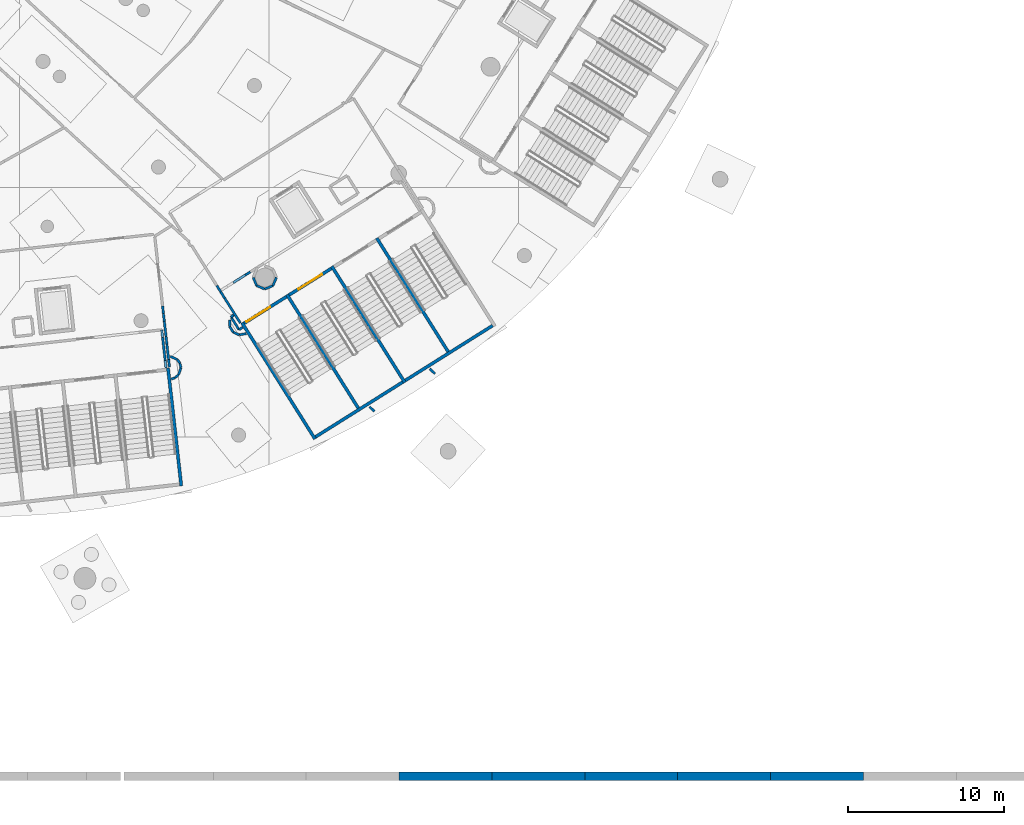
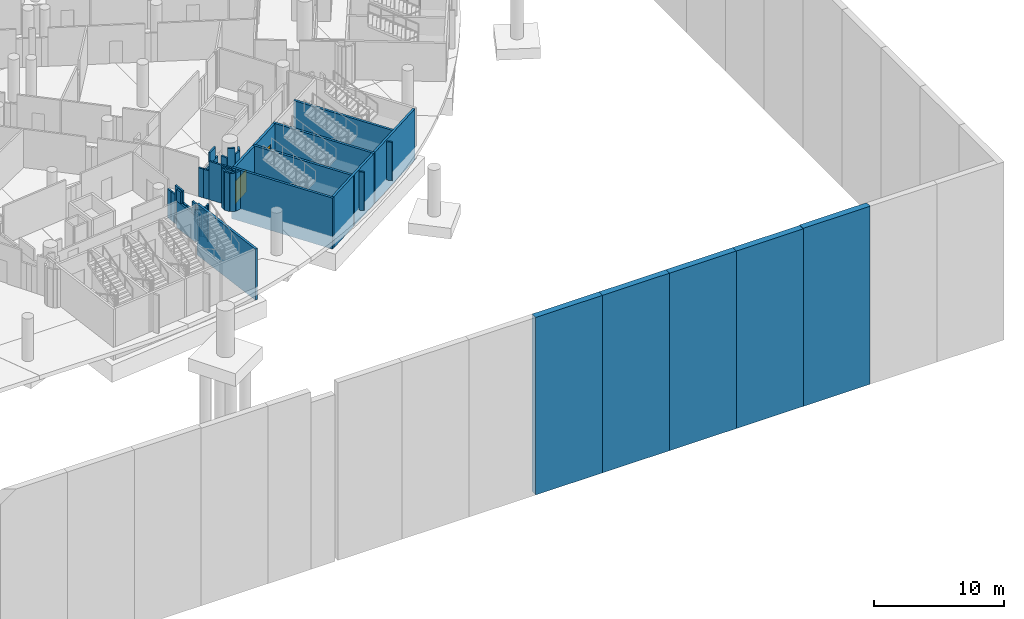
# One storey, part 55 of 142: 47 walls, 2 doors, 2 openings.
"""IFC4 building model written with IfcOpenShell, lengths in metres."""

from ifc_helpers import new_model, si_unit, direction, frame, frame_2d, origin, place, context, subcontext, project, spatial, rectangle, extrude, material, layer, layer_set, type_object, element, fill, save


model = new_model("IFC4")

# Units and contexts
model_context = context("Model", 3, precision=1e-05, world=origin(), true_north=direction((0.0, 1.0)))
body_context = subcontext(model_context, "Body", "Model", "MODEL_VIEW")
ifc_project = project(units=[si_unit("LENGTHUNIT", "METRE"), si_unit("AREAUNIT", "SQUARE_METRE"), si_unit("VOLUMEUNIT", "CUBIC_METRE"), si_unit("PLANEANGLEUNIT", "RADIAN"), si_unit("MASSUNIT", "GRAM", prefix="KILO")], contexts=[model_context])

# Site, building, storey
site_placement = place(None, origin())
site = spatial("IfcSite", under=ifc_project, at=site_placement, CompositionType="ELEMENT")
building_placement = place(site_placement, origin())
building = spatial("IfcBuilding", under=site, at=building_placement, Name="Meseta Stadium", CompositionType="ELEMENT")
storey_placement = place(building_placement, frame((0.0, 0.0, -4.0)))
storey = spatial("IfcBuildingStorey", under=building, at=storey_placement, Name="B1", CompositionType="ELEMENT", Elevation=-4.0)

# Walls
ifc_material_1 = material(Name="Concrete C40/50", Category="concrete")
ifc_layer_1 = layer(ifc_material_1, 0.199951171875)
ifc_layer_set_1 = layer_set([ifc_layer_1], Name="Core divider wall 200")
wall_type_1 = type_object("IfcWallType", Name="Core divider wall 200", PredefinedType="SHEAR", material=ifc_layer_set_1)
wall_1_placement = place(storey_placement, frame((69.8291015625, -94.314453125, -1.199951171875), z_axis=(0.0, 0.0, 1.0), x_axis=(-0.532032334759, 0.846724036963, 0.0)))
element("IfcWall", 1, at=wall_1_placement, inside=storey, type_object=wall_type_1, Name="Core 27 B1 stair A divider wall", PredefinedType="SHEAR", context=body_context, shape_type="SweptSolid", body=[
    extrude(rectangle(XDim=8.800048828125, YDim=0.199951171875, at=frame_2d((4.39990234375, 0.0))), origin(), (0.0, 0.0, 1.0), 4.800048828125),
])
wall_2_placement = place(storey_placement, frame((75.5869140625, -90.696533203125, -1.199951171875), z_axis=(0.0, 0.0, 1.0), x_axis=(-0.532044832901, 0.846716183726, 0.0)))
element("IfcWall", 2, at=wall_2_placement, inside=storey, type_object=wall_type_1, Name="Core 27 B1 stair B divider wall", PredefinedType="SHEAR", context=body_context, shape_type="SweptSolid", body=[
    extrude(rectangle(XDim=8.7998046875, YDim=0.199951171875, at=frame_2d((4.39990234375, 0.0))), origin(), (0.0, 0.0, 1.0), 4.800048828125),
])
ifc_material_2 = material(Name="Concrete C40/50", Category="concrete")
ifc_layer_2 = layer(ifc_material_2, 0.199951171875)
ifc_layer_set_2 = layer_set([ifc_layer_2], Name="Core shaft wall 200")
wall_type_2 = type_object("IfcWallType", Name="Core shaft wall 200", PredefinedType="SHEAR", material=ifc_layer_set_2)
wall_3_placement = place(storey_placement, frame((58.3779296875, -99.123046875, -1.199951171875), z_axis=(0.0, 0.0, 1.0), x_axis=(-0.111982724367, 0.993710153638, 0.0)))
element("IfcWall", 3, at=wall_3_placement, inside=storey, type_object=wall_type_2, Name="Core 26 B1 stair wall B-side", PredefinedType="SHEAR", context=body_context, shape_type="SweptSolid", body=[
    extrude(rectangle(XDim=7.60009765625, YDim=0.199951171875, at=frame_2d((3.800048828125, 0.0))), origin(), (0.0, 0.0, 1.0), 4.800048828125),
])
for number, where, z_axis, x_axis, name in (
    (4, (66.9501953125, -96.123291015625, -1.199951171875), (0.0, 0.0, 1.0), (-0.532032334759, 0.846724036963, 0.0), "Core 27 B1 stair wall A-side"),
    (5, (72.7080078125, -92.505615234375, -1.199951171875), (0.0, 0.0, 1.0), (-0.532032334759, 0.846724036963, 0.0), "Core 27 B1 stair wall shared"),
):
    element("IfcWall", number, at=place(storey_placement, frame(where, z_axis=z_axis, x_axis=x_axis)), inside=storey, type_object=wall_type_2, Name=name, PredefinedType="SHEAR", context=body_context, shape_type="SweptSolid", body=[
        extrude(rectangle(XDim=8.800048828125, YDim=0.199951171875, at=frame_2d((4.39990234375, 0.0))), origin(), (0.0, 0.0, 1.0), 4.800048828125),
    ])
for number, where, z_axis, x_axis, name in (
    (6, (66.981689453125, -95.985595703125, -1.199951171875), (0.0, 0.0, 1.0), (0.846719870989, 0.532038964807, 0.0), "Core 27 B1 stair A outer end wall"),
    (7, (72.739501953125, -92.36767578125, -1.199951171875), (0.0, 0.0, 1.0), (0.846719870989, 0.532038964807, 0.0), "Core 27 B1 stair B outer end wall"),
):
    element("IfcWall", number, at=place(storey_placement, frame(where, z_axis=z_axis, x_axis=x_axis)), inside=storey, type_object=wall_type_2, Name=name, PredefinedType="SHEAR", context=body_context, shape_type="SweptSolid", body=[
        extrude(rectangle(XDim=6.60009765625, YDim=0.199951171875, at=frame_2d((3.300048828125, 0.0))), origin(), (0.0, 0.0, 1.0), 4.800048828125),
    ])

# Wall, opening, door
wall_4_placement = place(storey_placement, frame((62.40625, -88.70361328125, -1.199951171875), z_axis=(0.0, 0.0, 1.0), x_axis=(0.846735733015, 0.532013720158, 0.0)))
wall_4 = element("IfcWall", 8, at=wall_4_placement, inside=storey, type_object=wall_type_2, Name="Core 27 B1 stair A1 inner end wall", PredefinedType="SHEAR", context=body_context, shape_type="SweptSolid", body=[
    extrude(rectangle(XDim=3.199951171875, YDim=0.199951171875, at=frame_2d((1.60009765625, 0.0))), origin(), (0.0, 0.0, 1.0), 4.800048828125),
])
opening_1_placement = place(wall_4_placement, frame((0.177978515625, 0.0, 1.199951171875)))
opening_1 = element("IfcOpeningElement", 9, at=opening_1_placement, cuts=wall_4, Name="Opening D353", PredefinedType="OPENING", context=body_context, shape_type="SweptSolid", body=[
    extrude(rectangle(XDim=1.800048828125, YDim=2.10009765625, at=frame_2d((0.89990234375, 1.050048828125))), frame((0.0, 0.10986328125, 0.0), z_axis=(0.0, -1.0, 0.0), x_axis=(1.0, 0.0, 0.0)), (0.0, 0.0, 1.0), 0.219970703125),
])
ifc_material_3 = material(Name="Steel", Category="steel")
door_type = type_object("IfcDoorType", Name="Stair door 1800x2100", OperationType="DOUBLE_DOOR_SINGLE_SWING", PredefinedType="DOOR", material=ifc_material_3)
door_1_placement = place(opening_1_placement, origin())
door_1 = element("IfcDoor", 10, at=door_1_placement, inside=storey, type_object=door_type, Name="Stair A1 door 27 B1", OperationType="DOUBLE_DOOR_SINGLE_SWING", OverallHeight=2.10009765625, OverallWidth=1.800048828125, PredefinedType="DOOR", context=body_context, shape_type="SweptSolid", body=[
    extrude(rectangle(XDim=1.800048828125, YDim=2.10009765625, at=frame_2d((0.89990234375, 1.050048828125))), frame((0.0, 0.02490234375, 0.0), z_axis=(0.0, -1.0, 0.0), x_axis=(1.0, 0.0, 0.0)), (0.0, 0.0, 1.0), 0.050048828125),
])
fill(opening_1, door_1)

wall_5_placement = place(storey_placement, frame((65.28515625, -86.894775390625, -1.199951171875), z_axis=(0.0, 0.0, 1.0), x_axis=(0.846735733015, 0.532013720158, 0.0)))
wall_5 = element("IfcWall", 11, at=wall_5_placement, inside=storey, type_object=wall_type_2, Name="Core 27 B1 stair A2 inner end wall", PredefinedType="SHEAR", context=body_context, shape_type="SweptSolid", body=[
    extrude(rectangle(XDim=3.199951171875, YDim=0.199951171875, at=frame_2d((1.60009765625, 0.0))), origin(), (0.0, 0.0, 1.0), 4.800048828125),
])
opening_2_placement = place(wall_5_placement, frame((0.699951171875, 0.0, 1.199951171875)))
opening_2 = element("IfcOpeningElement", 12, at=opening_2_placement, cuts=wall_5, Name="Opening D354", PredefinedType="OPENING", context=body_context, shape_type="SweptSolid", body=[
    extrude(rectangle(XDim=1.800048828125, YDim=2.10009765625, at=frame_2d((0.89990234375, 1.050048828125))), frame((0.0, 0.10986328125, 0.0), z_axis=(0.0, -1.0, 0.0), x_axis=(1.0, 0.0, 0.0)), (0.0, 0.0, 1.0), 0.219970703125),
])
door_2_placement = place(opening_2_placement, origin())
door_2 = element("IfcDoor", 13, at=door_2_placement, inside=storey, type_object=door_type, Name="Stair A2 door 27 B1", OperationType="DOUBLE_DOOR_SINGLE_SWING", OverallHeight=2.10009765625, OverallWidth=1.800048828125, PredefinedType="DOOR", context=body_context, shape_type="SweptSolid", body=[
    extrude(rectangle(XDim=1.800048828125, YDim=2.10009765625, at=frame_2d((0.89990234375, 1.050048828125))), frame((0.0, 0.02490234375, 0.0), z_axis=(0.0, -1.0, 0.0), x_axis=(1.0, 0.0, 0.0)), (0.0, 0.0, 1.0), 0.050048828125),
])
fill(opening_2, door_2)

# Walls
ifc_material_4 = material(Name="Masonry blockwork", Category="masonry")
ifc_layer_3 = layer(ifc_material_4, 0.14990234375)
ifc_layer_set_3 = layer_set([ifc_layer_3], Name="Partition 150")
wall_type_3 = type_object("IfcWallType", Name="Partition 150", PredefinedType="PARTITIONING", material=ifc_layer_set_3)
wall_6_placement = place(storey_placement, frame((57.621826171875, -91.52001953125, 0.0), z_axis=(0.0, 0.0, 1.0), x_axis=(-0.112221929923, 0.993683168039, 0.0)))
element("IfcWall", 14, at=wall_6_placement, inside=storey, type_object=wall_type_3, Name="Partition B1 B1-cell25-3-0", PredefinedType="PARTITIONING", context=body_context, shape_type="SweptSolid", body=[
    extrude(rectangle(XDim=0.493896484375, YDim=0.14990234375, at=frame_2d((0.2470703125, 0.0))), origin(), (0.0, 0.0, 1.0), 2.5),
])
wall_7_placement = place(storey_placement, frame((57.56640625, -91.029296875, 0.0), z_axis=(0.0, 0.0, 1.0), x_axis=(-0.111733745595, 0.993738179852, 0.0)))
element("IfcWall", 15, at=wall_7_placement, inside=storey, type_object=wall_type_3, Name="Partition B1 B1-cell25-3-0", PredefinedType="PARTITIONING", context=body_context, shape_type="SweptSolid", body=[
    extrude(rectangle(XDim=0.987548828125, YDim=0.14990234375, at=frame_2d((0.49365234375, 0.0))), origin(), (0.0, 0.0, 1.0), 2.5),
])
wall_8_placement = place(storey_placement, frame((57.4560546875, -90.0478515625, 0.0), z_axis=(0.0, 0.0, 1.0), x_axis=(-0.112277085518, 0.993676937474, 0.0)))
element("IfcWall", 16, at=wall_8_placement, inside=storey, type_object=wall_type_3, Name="Partition B1 B1-cell25-3-0", PredefinedType="PARTITIONING", context=body_context, shape_type="SweptSolid", body=[
    extrude(rectangle(XDim=0.49365234375, YDim=0.14990234375, at=frame_2d((0.246826171875, 0.0))), origin(), (0.0, 0.0, 1.0), 2.5),
])
wall_9_placement = place(storey_placement, frame((57.400634765625, -89.557373046875, 0.0), z_axis=(0.0, 0.0, 1.0), x_axis=(-0.111977847894, 0.993710703163, 0.0)))
element("IfcWall", 17, at=wall_9_placement, inside=storey, type_object=wall_type_3, Name="Partition B1 B1-cell25-3-0", PredefinedType="PARTITIONING", context=body_context, shape_type="SweptSolid", body=[
    extrude(rectangle(XDim=0.987548828125, YDim=0.14990234375, at=frame_2d((0.49365234375, 0.0))), origin(), (0.0, 0.0, 1.0), 3.60009765625),
])
wall_10_placement = place(storey_placement, frame((57.2900390625, -88.575927734375, 0.0), z_axis=(0.0, 0.0, 1.0), x_axis=(-0.11178866734, 0.993732003034, 0.0)))
element("IfcWall", 18, at=wall_10_placement, inside=storey, type_object=wall_type_3, Name="Partition B1 B1-cell25-3-0", PredefinedType="PARTITIONING", context=body_context, shape_type="SweptSolid", body=[
    extrude(rectangle(XDim=0.49365234375, YDim=0.14990234375, at=frame_2d((0.246826171875, 0.0))), origin(), (0.0, 0.0, 1.0), 2.699951171875),
])
wall_11_placement = place(storey_placement, frame((57.23486328125, -88.08544921875, 0.0), z_axis=(0.0, 0.0, 1.0), x_axis=(-0.111733745595, 0.993738179852, 0.0)))
element("IfcWall", 19, at=wall_11_placement, inside=storey, type_object=wall_type_3, Name="Partition B1 B1-cell25-3-0", PredefinedType="PARTITIONING", context=body_context, shape_type="SweptSolid", body=[
    extrude(rectangle(XDim=0.493896484375, YDim=0.14990234375, at=frame_2d((0.2470703125, 0.0))), origin(), (0.0, 0.0, 1.0), 2.699951171875),
])
wall_12_placement = place(storey_placement, frame((60.654052734375, -86.290771484375, 0.0), z_axis=(0.0, 0.0, 1.0), x_axis=(0.532086905354, -0.84668974551, 0.0)))
element("IfcWall", 20, at=wall_12_placement, inside=storey, type_object=wall_type_3, Name="Partition B1 B1-cell25-3-0", PredefinedType="PARTITIONING", context=body_context, shape_type="SweptSolid", body=[
    extrude(rectangle(XDim=0.47265625, YDim=0.14990234375, at=frame_2d((0.236328125, 0.0))), origin(), (0.0, 0.0, 1.0), 2.699951171875),
])
wall_13_placement = place(storey_placement, frame((60.905517578125, -86.69091796875, 0.0), z_axis=(0.0, 0.0, 1.0), x_axis=(0.531716418335, -0.846922458359, 0.0)))
element("IfcWall", 21, at=wall_13_placement, inside=storey, type_object=wall_type_3, Name="Partition B1 B1-cell25-3-0", PredefinedType="PARTITIONING", context=body_context, shape_type="SweptSolid", body=[
    extrude(rectangle(XDim=0.472412109375, YDim=0.14990234375, at=frame_2d((0.236328125, 0.0))), origin(), (0.0, 0.0, 1.0), 2.699951171875),
])
wall_14_placement = place(storey_placement, frame((61.15673828125, -87.091064453125, 0.0), z_axis=(0.0, 0.0, 1.0), x_axis=(0.532052497691, -0.84671136741, 0.0)))
element("IfcWall", 22, at=wall_14_placement, inside=storey, type_object=wall_type_3, Name="Partition B1 B1-cell25-3-0", PredefinedType="PARTITIONING", context=body_context, shape_type="SweptSolid", body=[
    extrude(rectangle(XDim=1.89013671875, YDim=0.14990234375, at=frame_2d((0.945068359375, 0.0))), origin(), (0.0, 0.0, 1.0), 3.60009765625),
])
wall_15_placement = place(storey_placement, frame((70.43310546875, -94.052978515625, 0.0), z_axis=(0.0, 0.0, 1.0), x_axis=(0.737553445213, -0.675288764496, 0.0)))
element("IfcWall", 23, at=wall_15_placement, inside=storey, type_object=wall_type_3, Name="Partition B1 B1-cell25-3-0", PredefinedType="PARTITIONING", context=body_context, shape_type="SweptSolid", body=[
    extrude(rectangle(XDim=0.431396484375, YDim=0.14990234375, at=frame_2d((0.2158203125, 0.0))), origin(), (0.0, 0.0, 1.0), 3.60009765625),
])
wall_16_placement = place(storey_placement, frame((74.634521484375, -91.93408203125, 0.0), z_axis=(0.0, 0.0, 1.0), x_axis=(-0.737375577037, 0.675482981569, 0.0)))
element("IfcWall", 24, at=wall_16_placement, inside=storey, type_object=wall_type_3, Name="Partition B1 B1-cell26-3-0", PredefinedType="PARTITIONING", context=body_context, shape_type="SweptSolid", body=[
    extrude(rectangle(XDim=0.45751953125, YDim=0.14990234375, at=frame_2d((0.228759765625, 0.0))), origin(), (0.0, 0.0, 1.0), 3.60009765625),
])
wall_17_placement = place(storey_placement, frame((57.401611328125, -91.57470703125, 0.0), z_axis=(0.0, 0.0, 1.0), x_axis=(-0.112018501257, 0.993706121233, 0.0)))
element("IfcWall", 25, at=wall_17_placement, inside=storey, type_object=wall_type_3, Name="Stair vestibule wall B1 core 26", PredefinedType="PARTITIONING", context=body_context, shape_type="SweptSolid", body=[
    extrude(rectangle(XDim=2.465087890625, YDim=0.14990234375, at=frame_2d((1.232421875, 0.0))), origin(), (0.0, 0.0, 1.0), 2.5),
])
wall_18_placement = place(storey_placement, frame((57.401611328125, -91.57470703125, 2.5), z_axis=(0.0, 0.0, 1.0), x_axis=(-0.111953754949, 0.993713417819, 0.0)))
element("IfcWall", 26, at=wall_18_placement, inside=storey, type_object=wall_type_3, Name="Stair vestibule wall B1 core 26", PredefinedType="PARTITIONING", context=body_context, shape_type="SweptSolid", body=[
    extrude(rectangle(XDim=0.492919921875, YDim=0.14990234375, at=frame_2d((0.24658203125, 0.0))), origin(), (0.0, 0.0, 1.0), 1.10009765625),
])
wall_19_placement = place(storey_placement, frame((57.180908203125, -89.615234375, 2.5), z_axis=(0.0, 0.0, 1.0), x_axis=(-0.112387558478, 0.993664448745, 0.0)))
element("IfcWall", 27, at=wall_19_placement, inside=storey, type_object=wall_type_3, Name="Stair vestibule wall B1 core 26", PredefinedType="PARTITIONING", context=body_context, shape_type="SweptSolid", body=[
    extrude(rectangle(XDim=0.4931640625, YDim=0.14990234375, at=frame_2d((0.24658203125, 0.0))), origin(), (0.0, 0.0, 1.0), 1.10009765625),
])
wall_20_placement = place(storey_placement, frame((57.736083984375, -92.281494140625, 0.0), z_axis=(0.0, 0.0, 1.0), x_axis=(0.941549075512, 0.336875850133, 0.0)))
element("IfcWall", 28, at=wall_20_placement, inside=storey, type_object=wall_type_3, Name="Stair vestibule wall B1 core 26", PredefinedType="PARTITIONING", context=body_context, shape_type="SweptSolid", body=[
    extrude(rectangle(XDim=0.258056640625, YDim=0.14990234375, at=frame_2d((0.12890625, 0.0))), origin(), (0.0, 0.0, 1.0), 3.60009765625),
])
wall_21_placement = place(storey_placement, frame((57.97900390625, -92.194580078125, 0.0), z_axis=(0.0, 0.0, 1.0), x_axis=(0.763611518969, 0.64567596215, 0.0)))
element("IfcWall", 29, at=wall_21_placement, inside=storey, type_object=wall_type_3, Name="Stair vestibule wall B1 core 26", PredefinedType="PARTITIONING", context=body_context, shape_type="SweptSolid", body=[
    extrude(rectangle(XDim=0.287841796875, YDim=0.14990234375, at=frame_2d((0.14404296875, 0.0))), origin(), (0.0, 0.0, 1.0), 3.60009765625),
])
wall_22_placement = place(storey_placement, frame((58.19873046875, -92.0087890625, 0.0), z_axis=(0.0, 0.0, 1.0), x_axis=(0.323699669456, 0.946159882892, 0.0)))
element("IfcWall", 30, at=wall_22_placement, inside=storey, type_object=wall_type_3, Name="Stair vestibule wall B1 core 26", PredefinedType="PARTITIONING", context=body_context, shape_type="SweptSolid", body=[
    extrude(rectangle(XDim=0.479736328125, YDim=0.14990234375, at=frame_2d((0.23974609375, 0.0))), origin(), (0.0, 0.0, 1.0), 2.5),
])
wall_23_placement = place(storey_placement, frame((58.35400390625, -91.554931640625, 0.0), z_axis=(0.0, 0.0, 1.0), x_axis=(-0.209413753184, 0.977827121723, 0.0)))
element("IfcWall", 31, at=wall_23_placement, inside=storey, type_object=wall_type_3, Name="Stair vestibule wall B1 core 26", PredefinedType="PARTITIONING", context=body_context, shape_type="SweptSolid", body=[
    extrude(rectangle(XDim=0.2890625, YDim=0.14990234375, at=frame_2d((0.14453125, 0.0))), origin(), (0.0, 0.0, 1.0), 2.5),
])
wall_24_placement = place(storey_placement, frame((58.29345703125, -91.272216796875, 0.0), z_axis=(0.0, 0.0, 1.0), x_axis=(-0.567101732998, 0.823647755069, 0.0)))
element("IfcWall", 32, at=wall_24_placement, inside=storey, type_object=wall_type_3, Name="Stair vestibule wall B1 core 26", PredefinedType="PARTITIONING", context=body_context, shape_type="SweptSolid", body=[
    extrude(rectangle(XDim=0.289306640625, YDim=0.14990234375, at=frame_2d((0.14453125, 0.0))), origin(), (0.0, 0.0, 1.0), 2.5),
])
wall_25_placement = place(storey_placement, frame((58.12939453125, -91.033935546875, 0.0), z_axis=(0.0, 0.0, 1.0), x_axis=(-0.910483348767, 0.413545730988, 0.0)))
element("IfcWall", 33, at=wall_25_placement, inside=storey, type_object=wall_type_3, Name="Stair vestibule wall B1 core 26", PredefinedType="PARTITIONING", context=body_context, shape_type="SweptSolid", body=[
    extrude(rectangle(XDim=0.500732421875, YDim=0.14990234375, at=frame_2d((0.25048828125, 0.0))), origin(), (0.0, 0.0, 1.0), 2.5),
])
wall_26_placement = place(storey_placement, frame((61.70947265625, -88.172119140625, 0.0), z_axis=(0.0, 0.0, 1.0), x_axis=(-0.6683490796, -0.743847771925, 0.0)))
element("IfcWall", 34, at=wall_26_placement, inside=storey, type_object=wall_type_3, Name="Stair vestibule wall B1 core 27", PredefinedType="PARTITIONING", context=body_context, shape_type="SweptSolid", body=[
    extrude(rectangle(XDim=0.197265625, YDim=0.14990234375, at=frame_2d((0.0986328125, 0.0))), origin(), (0.0, 0.0, 1.0), 3.60009765625),
])
wall_27_placement = place(storey_placement, frame((61.57763671875, -88.31884765625, 0.0), z_axis=(0.0, 0.0, 1.0), x_axis=(0.532001627387, -0.84674333092, 0.0)))
element("IfcWall", 35, at=wall_27_placement, inside=storey, type_object=wall_type_3, Name="Stair vestibule wall B1 core 27", PredefinedType="PARTITIONING", context=body_context, shape_type="SweptSolid", body=[
    extrude(rectangle(XDim=0.941650390625, YDim=0.14990234375, at=frame_2d((0.470703125, 0.0))), origin(), (0.0, 0.0, 1.0), 3.60009765625),
])
wall_28_placement = place(storey_placement, frame((62.07861328125, -89.1162109375, 0.0), z_axis=(0.0, 0.0, 1.0), x_axis=(0.846800843848, 0.531910077794, 0.0)))
element("IfcWall", 36, at=wall_28_placement, inside=storey, type_object=wall_type_3, Name="Stair vestibule wall B1 core 27", PredefinedType="PARTITIONING", context=body_context, shape_type="SweptSolid", body=[
    extrude(rectangle(XDim=0.286865234375, YDim=0.14990234375, at=frame_2d((0.1435546875, 0.0))), origin(), (0.0, 0.0, 1.0), 3.60009765625),
])
wall_29_placement = place(storey_placement, frame((64.4716796875, -85.77099609375, 0.0), z_axis=(0.0, 0.0, 1.0), x_axis=(-0.382871604923, -0.923801566433, 0.0)))
element("IfcWall", 37, at=wall_29_placement, inside=storey, type_object=wall_type_3, Name="Stair vestibule wall B1 core 27", PredefinedType="PARTITIONING", context=body_context, shape_type="SweptSolid", body=[
    extrude(rectangle(XDim=0.56689453125, YDim=0.14990234375, at=frame_2d((0.283447265625, 0.0))), origin(), (0.0, 0.0, 1.0), 3.0),
])
wall_30_placement = place(storey_placement, frame((64.254638671875, -86.294677734375, 0.0), z_axis=(0.0, 0.0, 1.0), x_axis=(-0.923890787601, -0.382656259044, 0.0)))
element("IfcWall", 38, at=wall_30_placement, inside=storey, type_object=wall_type_3, Name="Stair vestibule wall B1 core 27", PredefinedType="PARTITIONING", context=body_context, shape_type="SweptSolid", body=[
    extrude(rectangle(XDim=0.566650390625, YDim=0.14990234375, at=frame_2d((0.283203125, 0.0))), origin(), (0.0, 0.0, 1.0), 3.0),
])
wall_31_placement = place(storey_placement, frame((63.731201171875, -86.511474609375, 0.0), z_axis=(0.0, 0.0, 1.0), x_axis=(-0.923953847635, 0.38250397049, 0.0)))
element("IfcWall", 39, at=wall_31_placement, inside=storey, type_object=wall_type_3, Name="Stair vestibule wall B1 core 27", PredefinedType="PARTITIONING", context=body_context, shape_type="SweptSolid", body=[
    extrude(rectangle(XDim=0.56689453125, YDim=0.14990234375, at=frame_2d((0.283447265625, 0.0))), origin(), (0.0, 0.0, 1.0), 3.60009765625),
])
wall_32_placement = place(storey_placement, frame((63.20751953125, -86.294677734375, 0.0), z_axis=(0.0, 0.0, 1.0), x_axis=(-0.38250397049, 0.923953847635, 0.0)))
element("IfcWall", 40, at=wall_32_placement, inside=storey, type_object=wall_type_3, Name="Stair vestibule wall B1 core 27", PredefinedType="PARTITIONING", context=body_context, shape_type="SweptSolid", body=[
    extrude(rectangle(XDim=0.56689453125, YDim=0.14990234375, at=frame_2d((0.283447265625, 0.0))), origin(), (0.0, 0.0, 1.0), 2.699951171875),
])
wall_33_placement = place(storey_placement, frame((62.802490234375, -85.41357421875, 0.0), z_axis=(0.0, 0.0, 1.0), x_axis=(-0.846680811924, -0.532101120765, 0.0)))
element("IfcWall", 41, at=wall_33_placement, inside=storey, type_object=wall_type_3, Name="Stair vestibule wall B1 core 27", PredefinedType="PARTITIONING", context=body_context, shape_type="SweptSolid", body=[
    extrude(rectangle(XDim=2.200927734375, YDim=0.14990234375, at=frame_2d((1.1005859375, 0.0))), origin(), (0.0, 0.0, 1.0), 2.5),
])
wall_34_placement = place(storey_placement, frame((62.484130859375, -85.613525390625, 2.5), z_axis=(0.0, 0.0, 1.0), x_axis=(-0.846688201329, -0.532089362542, 0.0)))
element("IfcWall", 42, at=wall_34_placement, inside=storey, type_object=wall_type_3, Name="Stair vestibule wall B1 core 27", PredefinedType="PARTITIONING", context=body_context, shape_type="SweptSolid", body=[
    extrude(rectangle(XDim=0.91259765625, YDim=0.14990234375, at=frame_2d((0.456298828125, 0.0))), origin(), (0.0, 0.0, 1.0), 1.10009765625),
])
wall_35_placement = place(storey_placement, frame((61.489501953125, -88.490478515625, 0.0), z_axis=(0.0, 0.0, 1.0), x_axis=(-0.019436007719, -0.999811102961, 0.0)))
element("IfcWall", 43, at=wall_35_placement, inside=storey, type_object=wall_type_3, Name="Stair vestibule wall B1 core 27", PredefinedType="PARTITIONING", context=body_context, shape_type="SweptSolid", body=[
    extrude(rectangle(XDim=0.427001953125, YDim=0.14990234375, at=frame_2d((0.21337890625, 0.0))), origin(), (0.0, 0.0, 1.0), 3.60009765625),
])
wall_36_placement = place(storey_placement, frame((61.481201171875, -88.91748046875, 0.0), z_axis=(0.0, 0.0, 1.0), x_axis=(0.531970434514, -0.846762928336, 0.0)))
element("IfcWall", 44, at=wall_36_placement, inside=storey, type_object=wall_type_3, Name="Stair vestibule wall B1 core 27", PredefinedType="PARTITIONING", context=body_context, shape_type="SweptSolid", body=[
    extrude(rectangle(XDim=0.422607421875, YDim=0.14990234375, at=frame_2d((0.21142578125, 0.0))), origin(), (0.0, 0.0, 1.0), 3.60009765625),
])
wall_37_placement = place(storey_placement, frame((61.7060546875, -89.275390625, 0.0), z_axis=(0.0, 0.0, 1.0), x_axis=(0.91297669493, -0.408011708796, 0.0)))
element("IfcWall", 45, at=wall_37_placement, inside=storey, type_object=wall_type_3, Name="Stair vestibule wall B1 core 27", PredefinedType="PARTITIONING", context=body_context, shape_type="SweptSolid", body=[
    extrude(rectangle(XDim=0.423095703125, YDim=0.14990234375, at=frame_2d((0.21142578125, 0.0))), origin(), (0.0, 0.0, 1.0), 3.60009765625),
])
wall_38_placement = place(storey_placement, frame((62.09228515625, -89.447998046875, 0.0), z_axis=(0.0, 0.0, 1.0), x_axis=(0.983921512874, 0.17860138998, 0.0)))
element("IfcWall", 46, at=wall_38_placement, inside=storey, type_object=wall_type_3, Name="Stair vestibule wall B1 core 27", PredefinedType="PARTITIONING", context=body_context, shape_type="SweptSolid", body=[
    extrude(rectangle(XDim=0.453857421875, YDim=0.14990234375, at=frame_2d((0.22705078125, 0.0))), origin(), (0.0, 0.0, 1.0), 3.60009765625),
])
ifc_material_5 = material(Name="Concrete C30/37", Category="concrete")
ifc_layer_4 = layer(ifc_material_5, 0.550048828125)
ifc_layer_set_4 = layer_set([ifc_layer_4], Name="Site retaining wall 550")
wall_type_4 = type_object("IfcWallType", Name="Site retaining wall 550", PredefinedType="SOLIDWALL", material=ifc_layer_set_4)
for number, where, z_axis, x_axis, name in (
    (47, (72.3330078125, -117.72509765625, -13.0), (0.0, 0.0, 1.0), (1.0, 0.0, 0.0), "Site retaining wall 43"),
    (48, (78.285400390625, -117.72509765625, -13.0), (0.0, 0.0, 1.0), (1.0, 0.0, 0.0), "Site retaining wall 44"),
    (49, (84.23779296875, -117.72509765625, -13.0), (0.0, 0.0, 1.0), (1.0, 0.0, 0.0), "Site retaining wall 45"),
):
    element("IfcWall", number, at=place(storey_placement, frame(where, z_axis=z_axis, x_axis=x_axis)), inside=storey, type_object=wall_type_4, Name=name, PredefinedType="SOLIDWALL", context=body_context, shape_type="SweptSolid", body=[
        extrude(rectangle(XDim=5.952392578125, YDim=0.550048828125, at=frame_2d((2.97607421875, 0.0))), origin(), (0.0, 0.0, 1.0), 16.699951171875),
    ])
wall_39_placement = place(storey_placement, frame((90.190185546875, -117.72509765625, -13.0), z_axis=(0.0, 0.0, 1.0), x_axis=(1.0, 0.0, 0.0)))
element("IfcWall", 50, at=wall_39_placement, inside=storey, type_object=wall_type_4, Name="Site retaining wall 46", PredefinedType="SOLIDWALL", context=body_context, shape_type="SweptSolid", body=[
    extrude(rectangle(XDim=5.9521484375, YDim=0.550048828125, at=frame_2d((2.97607421875, 0.0))), origin(), (0.0, 0.0, 1.0), 16.699951171875),
])
wall_40_placement = place(storey_placement, frame((96.142333984375, -117.72509765625, -13.0), z_axis=(0.0, 0.0, 1.0), x_axis=(1.0, 0.0, 0.0)))
element("IfcWall", 51, at=wall_40_placement, inside=storey, type_object=wall_type_4, Name="Site retaining wall 47", PredefinedType="SOLIDWALL", context=body_context, shape_type="SweptSolid", body=[
    extrude(rectangle(XDim=5.952392578125, YDim=0.550048828125, at=frame_2d((2.97607421875, 0.0))), origin(), (0.0, 0.0, 1.0), 16.75),
])

save(model, "model.ifc")
